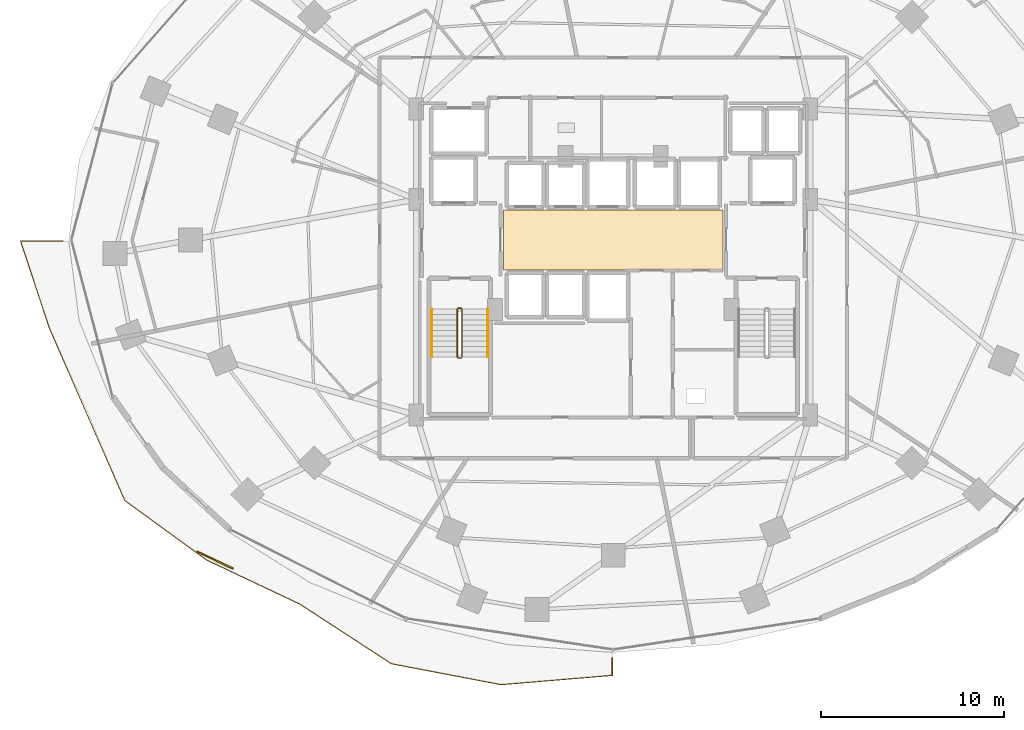
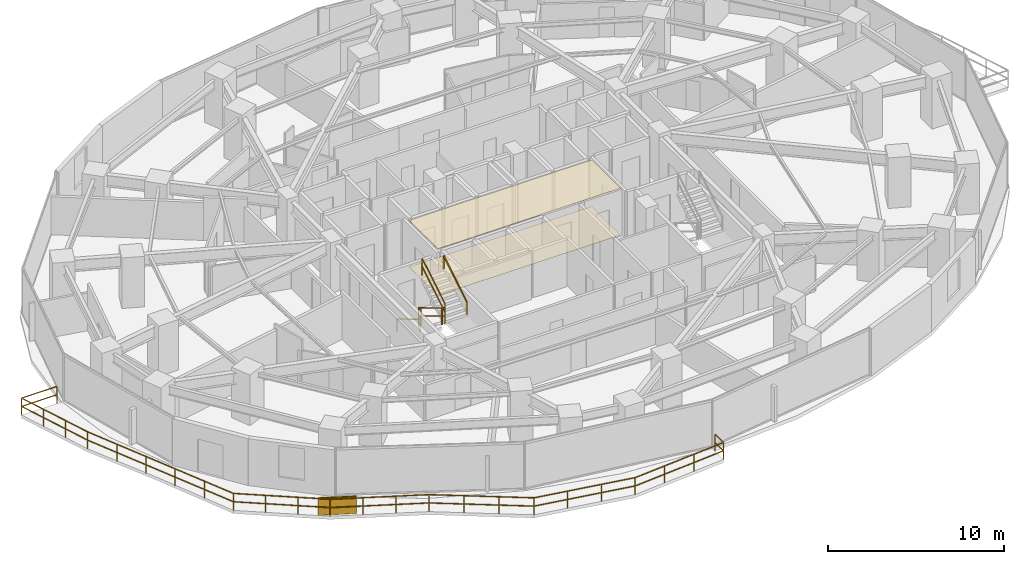
# One storey, part 31 of 33: 8 railings, 2 coverings, 1 shading device.
"""IFC4 building model written with IfcOpenShell, lengths in metres."""

from ifc_helpers import new_model, si_unit, direction, frame, origin, origin_2d, place, context, subcontext, project, spatial, polyline, rectangle, outline, extrude, material, layer, layer_set, type_object, element, save


model = new_model("IFC4")

# Units and contexts
model_context = context("Model", 3, precision=1e-05, world=origin(), true_north=direction((0.0, 1.0)))
body_context = subcontext(model_context, "Body", "Model", "MODEL_VIEW")
ifc_project = project(units=[si_unit("LENGTHUNIT", "METRE"), si_unit("AREAUNIT", "SQUARE_METRE"), si_unit("VOLUMEUNIT", "CUBIC_METRE"), si_unit("PLANEANGLEUNIT", "RADIAN"), si_unit("MASSUNIT", "GRAM", prefix="KILO")], contexts=[model_context])

# Site, building, storey
site_placement = place(None, origin())
site = spatial("IfcSite", under=ifc_project, at=site_placement, CompositionType="ELEMENT")
building_placement = place(site_placement, origin())
building = spatial("IfcBuilding", under=site, at=building_placement, Name="Vorneva Point Tower", CompositionType="ELEMENT")
storey_placement = place(building_placement, frame((0.0, 0.0, 34.5)))
storey = spatial("IfcBuildingStorey", under=building, at=storey_placement, Name="L08", CompositionType="ELEMENT", Elevation=34.5)

# Coverings
ifc_material_1 = material(Name="Perforated acoustic aluminium baffle ceiling", Category="aluminium")
ifc_layer_1 = layer(ifc_material_1, 0.030029296875)
ifc_layer_set_1 = layer_set([ifc_layer_1], Name="Perforated acoustic aluminium baffle ceiling")
covering_type_1 = type_object("IfcCoveringType", Name="COV-CEIL-BAF", PredefinedType="CEILING", material=ifc_layer_set_1)
covering_1_placement = place(storey_placement, frame((0.0, 0.0, 3.2099609375)))
element("IfcCovering", 1, at=covering_1_placement, inside=storey, type_object=covering_type_1, Name="L08 Lift Lobby Acoustic Baffle Ceiling", PredefinedType="CEILING", context=body_context, shape_type="SweptSolid", body=[
    extrude(outline(polyline([(32.02001953125, 24.3701171875), (43.97998046875, 24.3701171875), (43.97998046875, 27.6298828125), (32.02001953125, 27.6298828125), (32.02001953125, 24.3701171875)])), origin(), (0.0, 0.0, 1.0), 0.03515625),
])
ifc_material_2 = material(Name="Acoustic wool hospitality carpet", Category="textile")
ifc_layer_2 = layer(ifc_material_2, 0.01806640625)
ifc_layer_set_2 = layer_set([ifc_layer_2], Name="Acoustic wool hospitality carpet")
covering_type_2 = type_object("IfcCoveringType", Name="COV-FLR-CRP", PredefinedType="FLOORING", material=ifc_layer_set_2)
covering_2_placement = place(storey_placement, frame((0.0, 0.0, -0.0048828125)))
element("IfcCovering", 2, at=covering_2_placement, inside=storey, type_object=covering_type_2, Name="L08 Lift Lobby Floor Finish", PredefinedType="FLOORING", context=body_context, shape_type="SweptSolid", body=[
    extrude(outline(polyline([(32.02001953125, 24.3701171875), (43.97998046875, 24.3701171875), (43.97998046875, 27.6298828125), (32.02001953125, 27.6298828125), (32.02001953125, 24.3701171875)])), origin(), (0.0, 0.0, 1.0), 0.02294921875),
])

# Railings
ifc_material_3 = material(Name="Pale anodised aluminium", Category="aluminium")
railing_type_1 = type_object("IfcRailingType", Name="RL-BAL-1200", PredefinedType="BALUSTRADE", material=ifc_material_3)
railing_1_placement = place(storey_placement, frame((37.949951171875, 2.245849609375, 0.0)))
element("IfcRailing", 3, at=railing_1_placement, inside=storey, type_object=railing_type_1, Name="L08 Wave Balcony Balustrade SW.1", PredefinedType="BALUSTRADE", context=body_context, shape_type="SweptSolid", body=[
    extrude(rectangle(XDim=0.048095703125, YDim=0.048095703125, at=origin_2d()), frame((0.0, 0.0, 1.17578125), z_axis=(0.0, 1.0, 0.0), x_axis=(-1.0, 0.0, 0.0)), (0.0, 0.0, 1.0), 0.93701171875),
    extrude(rectangle(XDim=0.048095703125, YDim=0.048095703125, at=origin_2d()), frame((0.0, 0.0, 0.60009765625), z_axis=(0.0, 1.0, 0.0), x_axis=(-1.0, 0.0, 0.0)), (0.0, 0.0, 1.0), 0.93701171875),
    extrude(rectangle(XDim=0.0419921875, YDim=0.0419921875, at=origin_2d()), origin(), (0.0, 0.0, 1.0), 1.15185546875),
    extrude(rectangle(XDim=0.0419921875, YDim=0.0419921875, at=origin_2d()), frame((0.0, 0.93701171875, 0.0)), (0.0, 0.0, 1.0), 1.15185546875),
])
railing_2_placement = place(storey_placement, frame((7.98388671875, 25.949951171875, 0.0)))
element("IfcRailing", 4, at=railing_2_placement, inside=storey, type_object=railing_type_1, Name="L08 Wave Balcony Balustrade SW.2", PredefinedType="BALUSTRADE", context=body_context, shape_type="SweptSolid", body=[
    extrude(rectangle(XDim=0.048095703125, YDim=0.048095703125, at=origin_2d()), frame((0.0, 0.0, 1.17578125), z_axis=(-1.0, 0.0, 0.0), x_axis=(0.0, -1.0, 0.0)), (0.0, 0.0, 1.0), 2.3173828125),
    extrude(rectangle(XDim=0.048095703125, YDim=0.048095703125, at=origin_2d()), frame((0.0, 0.0, 0.60009765625), z_axis=(-1.0, 0.0, 0.0), x_axis=(0.0, -1.0, 0.0)), (0.0, 0.0, 1.0), 2.3173828125),
    extrude(rectangle(XDim=0.048095703125, YDim=0.048095703125, at=origin_2d()), frame((-2.3173828125, 0.0, 1.17578125), z_axis=(0.314126331711, -0.949381192001, 0.0), x_axis=(0.949381192001, 0.314126331711, 0.0)), (0.0, 0.0, 1.0), 5.020751953125),
    extrude(rectangle(XDim=0.048095703125, YDim=0.048095703125, at=origin_2d()), frame((-2.3173828125, 0.0, 0.60009765625), z_axis=(0.314126331711, -0.949381192001, 0.0), x_axis=(0.949381192001, 0.314126331711, 0.0)), (0.0, 0.0, 1.0), 5.020751953125),
    extrude(rectangle(XDim=0.048095703125, YDim=0.048095703125, at=origin_2d()), frame((-0.740234375, -4.7666015625, 1.17578125), z_axis=(0.40091368096, -0.916115833516, 0.0), x_axis=(0.916115833516, 0.40091368096, 0.0)), (0.0, 0.0, 1.0), 10.26220703125),
    extrude(rectangle(XDim=0.048095703125, YDim=0.048095703125, at=origin_2d()), frame((-0.740234375, -4.7666015625, 0.60009765625), z_axis=(0.40091368096, -0.916115833516, 0.0), x_axis=(0.916115833516, 0.40091368096, 0.0)), (0.0, 0.0, 1.0), 10.26220703125),
    extrude(rectangle(XDim=0.048095703125, YDim=0.048095703125, at=origin_2d()), frame((3.3740234375, -14.16796875, 1.17578125), z_axis=(0.808736084303, -0.588171697675, 0.0), x_axis=(0.588171697675, 0.808736084303, 0.0)), (0.0, 0.0, 1.0), 5.51904296875),
    extrude(rectangle(XDim=0.048095703125, YDim=0.048095703125, at=origin_2d()), frame((3.3740234375, -14.16796875, 0.60009765625), z_axis=(0.808736084303, -0.588171697675, 0.0), x_axis=(0.588171697675, 0.808736084303, 0.0)), (0.0, 0.0, 1.0), 5.51904296875),
    extrude(rectangle(XDim=0.048095703125, YDim=0.048095703125, at=origin_2d()), frame((7.83740234375, -17.4140625, 1.17578125), z_axis=(0.904021080229, -0.427487878778, 0.0), x_axis=(0.427487878778, 0.904021080229, 0.0)), (0.0, 0.0, 1.0), 5.6298828125),
    extrude(rectangle(XDim=0.048095703125, YDim=0.048095703125, at=origin_2d()), frame((7.83740234375, -17.4140625, 0.60009765625), z_axis=(0.904021080229, -0.427487878778, 0.0), x_axis=(0.427487878778, 0.904021080229, 0.0)), (0.0, 0.0, 1.0), 5.6298828125),
    extrude(rectangle(XDim=0.048095703125, YDim=0.048095703125, at=origin_2d()), frame((12.927001953125, -19.82080078125, 1.17578125), z_axis=(0.83807349006, -0.545557352859, 0.0), x_axis=(0.545557352859, 0.83807349006, 0.0)), (0.0, 0.0, 1.0), 5.955810546875),
    extrude(rectangle(XDim=0.048095703125, YDim=0.048095703125, at=origin_2d()), frame((12.927001953125, -19.82080078125, 0.60009765625), z_axis=(0.83807349006, -0.545557352859, 0.0), x_axis=(0.545557352859, 0.83807349006, 0.0)), (0.0, 0.0, 1.0), 5.955810546875),
    extrude(rectangle(XDim=0.048095703125, YDim=0.048095703125, at=origin_2d()), frame((17.91845703125, -23.070068359375, 1.17578125), z_axis=(0.982249899768, -0.187577009267, 0.0), x_axis=(0.187577009267, 0.982249899768, 0.0)), (0.0, 0.0, 1.0), 6.080810546875),
    extrude(rectangle(XDim=0.048095703125, YDim=0.048095703125, at=origin_2d()), frame((17.91845703125, -23.070068359375, 0.60009765625), z_axis=(0.982249899768, -0.187577009267, 0.0), x_axis=(0.187577009267, 0.982249899768, 0.0)), (0.0, 0.0, 1.0), 6.080810546875),
    extrude(rectangle(XDim=0.048095703125, YDim=0.048095703125, at=origin_2d()), frame((23.891357421875, -24.210693359375, 1.17578125), z_axis=(0.996540784652, 0.083105141393, 0.0), x_axis=(-0.083105141393, 0.996540784652, 0.0)), (0.0, 0.0, 1.0), 6.095703125),
    extrude(rectangle(XDim=0.048095703125, YDim=0.048095703125, at=origin_2d()), frame((23.891357421875, -24.210693359375, 0.60009765625), z_axis=(0.996540784652, 0.083105141393, 0.0), x_axis=(-0.083105141393, 0.996540784652, 0.0)), (0.0, 0.0, 1.0), 6.095703125),
    extrude(rectangle(XDim=0.0419921875, YDim=0.0419921875, at=origin_2d()), origin(), (0.0, 0.0, 1.0), 1.15185546875),
    extrude(rectangle(XDim=0.0419921875, YDim=0.0419921875, at=origin_2d()), frame((-2.3173828125, 0.0, 0.0)), (0.0, 0.0, 1.0), 1.15185546875),
    extrude(rectangle(XDim=0.0419921875, YDim=0.0419921875, at=origin_2d()), frame((-1.791748046875, -1.5888671875, 0.0)), (0.0, 0.0, 1.0), 1.15185546875),
    extrude(rectangle(XDim=0.0419921875, YDim=0.0419921875, at=origin_2d()), frame((-1.265869140625, -3.177734375, 0.0)), (0.0, 0.0, 1.0), 1.15185546875),
    extrude(rectangle(XDim=0.0419921875, YDim=0.0419921875, at=origin_2d()), frame((-0.740234375, -4.7666015625, 0.0)), (0.0, 0.0, 1.0), 1.15185546875),
    extrude(rectangle(XDim=0.0419921875, YDim=0.0419921875, at=origin_2d()), frame((0.08251953125, -6.64697265625, 0.0)), (0.0, 0.0, 1.0), 1.15185546875),
    extrude(rectangle(XDim=0.0419921875, YDim=0.0419921875, at=origin_2d()), frame((0.905517578125, -8.527099609375, 0.0)), (0.0, 0.0, 1.0), 1.15185546875),
    extrude(rectangle(XDim=0.0419921875, YDim=0.0419921875, at=origin_2d()), frame((1.728271484375, -10.407470703125, 0.0)), (0.0, 0.0, 1.0), 1.15185546875),
    extrude(rectangle(XDim=0.0419921875, YDim=0.0419921875, at=origin_2d()), frame((2.55126953125, -12.28759765625, 0.0)), (0.0, 0.0, 1.0), 1.15185546875),
    extrude(rectangle(XDim=0.0419921875, YDim=0.0419921875, at=origin_2d()), frame((3.3740234375, -14.16796875, 0.0)), (0.0, 0.0, 1.0), 1.15185546875),
    extrude(rectangle(XDim=0.0419921875, YDim=0.0419921875, at=origin_2d()), frame((4.86181640625, -15.25, 0.0)), (0.0, 0.0, 1.0), 1.15185546875),
    extrude(rectangle(XDim=0.0419921875, YDim=0.0419921875, at=origin_2d()), frame((6.349609375, -16.33203125, 0.0)), (0.0, 0.0, 1.0), 1.15185546875),
    extrude(rectangle(XDim=0.0419921875, YDim=0.0419921875, at=origin_2d()), frame((7.83740234375, -17.4140625, 0.0)), (0.0, 0.0, 1.0), 1.15185546875),
    extrude(rectangle(XDim=0.0419921875, YDim=0.0419921875, at=origin_2d()), frame((9.533935546875, -18.21630859375, 0.0)), (0.0, 0.0, 1.0), 1.15185546875),
    extrude(rectangle(XDim=0.0419921875, YDim=0.0419921875, at=origin_2d()), frame((11.23046875, -19.0185546875, 0.0)), (0.0, 0.0, 1.0), 1.15185546875),
    extrude(rectangle(XDim=0.0419921875, YDim=0.0419921875, at=origin_2d()), frame((12.927001953125, -19.82080078125, 0.0)), (0.0, 0.0, 1.0), 1.15185546875),
    extrude(rectangle(XDim=0.0419921875, YDim=0.0419921875, at=origin_2d()), frame((14.5908203125, -20.90380859375, 0.0)), (0.0, 0.0, 1.0), 1.15185546875),
    extrude(rectangle(XDim=0.0419921875, YDim=0.0419921875, at=origin_2d()), frame((16.254638671875, -21.987060546875, 0.0)), (0.0, 0.0, 1.0), 1.15185546875),
    extrude(rectangle(XDim=0.0419921875, YDim=0.0419921875, at=origin_2d()), frame((17.91845703125, -23.070068359375, 0.0)), (0.0, 0.0, 1.0), 1.15185546875),
    extrude(rectangle(XDim=0.0419921875, YDim=0.0419921875, at=origin_2d()), frame((19.909423828125, -23.4501953125, 0.0)), (0.0, 0.0, 1.0), 1.15185546875),
    extrude(rectangle(XDim=0.0419921875, YDim=0.0419921875, at=origin_2d()), frame((21.900390625, -23.83056640625, 0.0)), (0.0, 0.0, 1.0), 1.15185546875),
    extrude(rectangle(XDim=0.0419921875, YDim=0.0419921875, at=origin_2d()), frame((23.891357421875, -24.210693359375, 0.0)), (0.0, 0.0, 1.0), 1.15185546875),
    extrude(rectangle(XDim=0.0419921875, YDim=0.0419921875, at=origin_2d()), frame((25.916259765625, -24.041748046875, 0.0)), (0.0, 0.0, 1.0), 1.15185546875),
    extrude(rectangle(XDim=0.0419921875, YDim=0.0419921875, at=origin_2d()), frame((27.941162109375, -23.873046875, 0.0)), (0.0, 0.0, 1.0), 1.15185546875),
    extrude(rectangle(XDim=0.0419921875, YDim=0.0419921875, at=origin_2d()), frame((29.966064453125, -23.7041015625, 0.0)), (0.0, 0.0, 1.0), 1.15185546875),
])
ifc_material_4 = material(Name="Brushed stainless steel S304", Category="steel")
railing_type_2 = type_object("IfcRailingType", Name="RL-HND-920", PredefinedType="HANDRAIL", material=ifc_material_4)
railing_3_placement = place(storey_placement, frame((28.10009765625, 22.219970703125, 0.175048828125)))
element("IfcRailing", 5, at=railing_3_placement, inside=storey, type_object=railing_type_2, Name="L08 ST1 stair handrail 1", PredefinedType="HANDRAIL", context=body_context, shape_type="SweptSolid", body=[
    extrude(rectangle(XDim=0.048095703125, YDim=0.048095703125, at=origin_2d()), frame((0.0, 0.0, 0.8759765625), z_axis=(0.0, -0.85618277418, 0.516673066065), x_axis=(1.0, 0.0, 0.0)), (0.0, 0.0, 1.0), 3.04833984375),
    extrude(rectangle(XDim=0.0419921875, YDim=0.0419921875, at=origin_2d()), origin(), (0.0, 0.0, 1.0), 0.851806640625),
    extrude(rectangle(XDim=0.0419921875, YDim=0.0419921875, at=origin_2d()), frame((0.0, -2.60986328125, 1.574951171875)), (0.0, 0.0, 1.0), 0.851806640625),
])
railing_4_placement = place(storey_placement, frame((31.14990234375, 19.610107421875, 1.925048828125)))
element("IfcRailing", 6, at=railing_4_placement, inside=storey, type_object=railing_type_2, Name="L08 ST1 stair handrail 2", PredefinedType="HANDRAIL", context=body_context, shape_type="SweptSolid", body=[
    extrude(rectangle(XDim=0.048095703125, YDim=0.048095703125, at=origin_2d()), frame((0.0, 0.0, 0.8759765625), z_axis=(0.0, 0.85618277418, 0.516673066065), x_axis=(-1.0, 0.0, 0.0)), (0.0, 0.0, 1.0), 3.04833984375),
    extrude(rectangle(XDim=0.0419921875, YDim=0.0419921875, at=origin_2d()), origin(), (0.0, 0.0, 1.0), 0.851806640625),
    extrude(rectangle(XDim=0.0419921875, YDim=0.0419921875, at=origin_2d()), frame((0.0, 2.60986328125, 1.574951171875)), (0.0, 0.0, 1.0), 0.851806640625),
])
railing_type_3 = type_object("IfcRailingType", Name="RL-STG-1100", PredefinedType="GUARDRAIL", material=ifc_material_4)
railing_5_placement = place(storey_placement, frame((29.5, 22.219970703125, 0.175048828125)))
element("IfcRailing", 7, at=railing_5_placement, inside=storey, type_object=railing_type_3, Name="L08 ST1 stair guard 1", PredefinedType="GUARDRAIL", context=body_context, shape_type="SweptSolid", body=[
    extrude(rectangle(XDim=0.048095703125, YDim=0.048095703125, at=origin_2d()), frame((0.0, 0.0, 1.17578125), z_axis=(0.0, -0.85618277418, 0.516673066065), x_axis=(1.0, 0.0, 0.0)), (0.0, 0.0, 1.0), 3.04833984375),
    extrude(rectangle(XDim=0.048095703125, YDim=0.048095703125, at=origin_2d()), frame((0.0, 0.0, 0.60009765625), z_axis=(0.0, -0.85618277418, 0.516673066065), x_axis=(1.0, 0.0, 0.0)), (0.0, 0.0, 1.0), 3.04833984375),
    extrude(rectangle(XDim=0.0419921875, YDim=0.0419921875, at=origin_2d()), origin(), (0.0, 0.0, 1.0), 1.15185546875),
    extrude(rectangle(XDim=0.0419921875, YDim=0.0419921875, at=origin_2d()), frame((0.0, -2.60986328125, 1.574951171875)), (0.0, 0.0, 1.0), 1.15185546875),
])
railing_6_placement = place(storey_placement, frame((29.550048828125, 19.56005859375, 1.75)))
element("IfcRailing", 8, at=railing_6_placement, inside=storey, type_object=railing_type_3, Name="L08 ST1 stair guard 2", PredefinedType="GUARDRAIL", context=body_context, shape_type="SweptSolid", body=[
    extrude(rectangle(XDim=0.048095703125, YDim=0.048095703125, at=origin_2d()), frame((0.0, 0.0, 1.17578125), z_axis=(1.0, 0.0, 0.0), x_axis=(0.0, 1.0, 0.0)), (0.0, 0.0, 1.0), 0.14990234375),
    extrude(rectangle(XDim=0.048095703125, YDim=0.048095703125, at=origin_2d()), frame((0.0, 0.0, 0.60009765625), z_axis=(1.0, 0.0, 0.0), x_axis=(0.0, 1.0, 0.0)), (0.0, 0.0, 1.0), 0.14990234375),
    extrude(rectangle(XDim=0.0419921875, YDim=0.0419921875, at=origin_2d()), origin(), (0.0, 0.0, 1.0), 1.15185546875),
    extrude(rectangle(XDim=0.0419921875, YDim=0.0419921875, at=origin_2d()), frame((0.14990234375, 0.0, 0.0)), (0.0, 0.0, 1.0), 1.15185546875),
])
railing_7_placement = place(storey_placement, frame((29.75, 19.610107421875, 1.925048828125)))
element("IfcRailing", 9, at=railing_7_placement, inside=storey, type_object=railing_type_3, Name="L08 ST1 stair guard 3", PredefinedType="GUARDRAIL", context=body_context, shape_type="SweptSolid", body=[
    extrude(rectangle(XDim=0.048095703125, YDim=0.048095703125, at=origin_2d()), frame((0.0, 0.0, 1.17578125), z_axis=(0.0, 0.85618277418, 0.516673066065), x_axis=(-1.0, 0.0, 0.0)), (0.0, 0.0, 1.0), 3.04833984375),
    extrude(rectangle(XDim=0.048095703125, YDim=0.048095703125, at=origin_2d()), frame((0.0, 0.0, 0.60009765625), z_axis=(0.0, 0.85618277418, 0.516673066065), x_axis=(-1.0, 0.0, 0.0)), (0.0, 0.0, 1.0), 3.04833984375),
    extrude(rectangle(XDim=0.0419921875, YDim=0.0419921875, at=origin_2d()), origin(), (0.0, 0.0, 1.0), 1.15185546875),
    extrude(rectangle(XDim=0.0419921875, YDim=0.0419921875, at=origin_2d()), frame((0.0, 2.60986328125, 1.574951171875)), (0.0, 0.0, 1.0), 1.15185546875),
])
railing_8_placement = place(storey_placement, frame((29.550048828125, 22.27001953125, 0.0)))
element("IfcRailing", 10, at=railing_8_placement, inside=storey, type_object=railing_type_3, Name="L08 ST1 stair guard 4", PredefinedType="GUARDRAIL", context=body_context, shape_type="SweptSolid", body=[
    extrude(rectangle(XDim=0.048095703125, YDim=0.048095703125, at=origin_2d()), frame((0.0, 0.0, 1.17578125), z_axis=(1.0, 0.0, 0.0), x_axis=(0.0, 1.0, 0.0)), (0.0, 0.0, 1.0), 0.14990234375),
    extrude(rectangle(XDim=0.048095703125, YDim=0.048095703125, at=origin_2d()), frame((0.0, 0.0, 0.60009765625), z_axis=(1.0, 0.0, 0.0), x_axis=(0.0, 1.0, 0.0)), (0.0, 0.0, 1.0), 0.14990234375),
    extrude(rectangle(XDim=0.0419921875, YDim=0.0419921875, at=origin_2d()), origin(), (0.0, 0.0, 1.0), 1.15185546875),
    extrude(rectangle(XDim=0.0419921875, YDim=0.0419921875, at=origin_2d()), frame((0.14990234375, 0.0, 0.0)), (0.0, 0.0, 1.0), 1.15185546875),
])

# Shading device
shading_device_type = type_object("IfcShadingDeviceType", Name="SHD-JAL-1200", PredefinedType="JALOUSIE", material=ifc_material_3)
shading_device_placement = place(storey_placement, frame((16.283203125, 8.536376953125, -0.02001953125), z_axis=(0.0, 0.0, 1.0), x_axis=(0.904022870434, -0.427484092959, 0.0)))
element("IfcShadingDevice", 11, at=shading_device_placement, inside=storey, type_object=shading_device_type, Name="L08 Balcony Vertical-Greenery Planter Screen SW.2", PredefinedType="JALOUSIE", context=body_context, shape_type="SweptSolid", body=[
    extrude(rectangle(XDim=2.199951171875, YDim=0.080078125, at=origin_2d()), origin(), (0.0, 0.0, 1.0), 1.199951171875),
])

save(model, "model.ifc")
